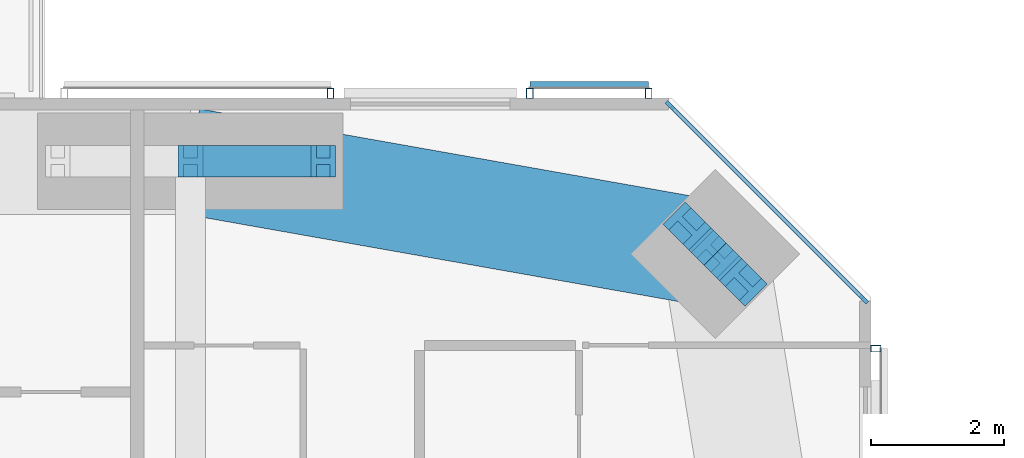
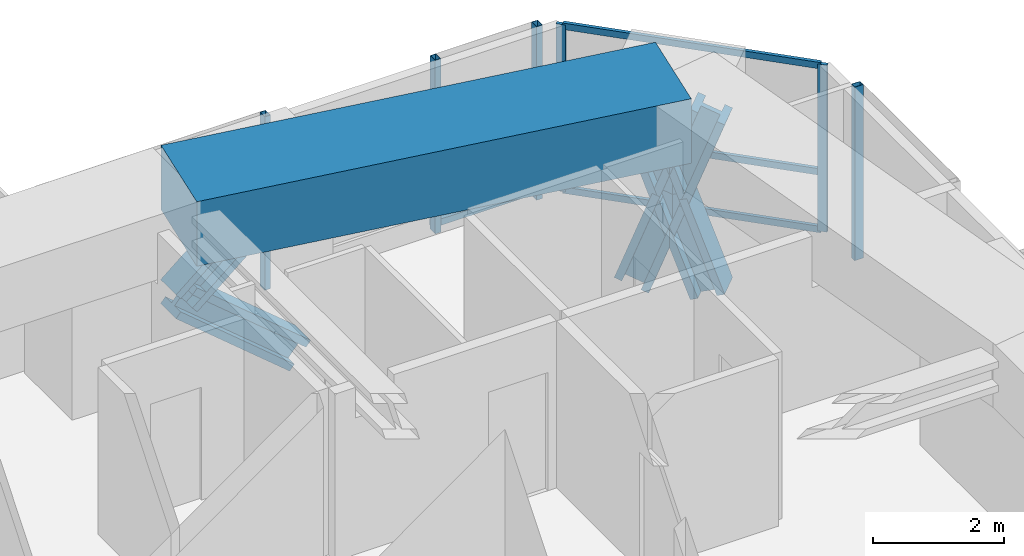
# One storey, part 13 of 22: 16 members, 1 beam, 4 elements without a shape of their own.
"""IFC4 building model written with IfcOpenShell, lengths in metres."""

from ifc_helpers import new_model, si_unit, direction, frame, origin, origin_2d, place, context, subcontext, project, spatial, rectangle, hollow_rectangle, i_section, extrude, material, material_profile, profile_set, type_object, element, aggregate, save


model = new_model("IFC4")

# Units and contexts
model_context = context("Model", 3, precision=1e-05, world=origin(), true_north=direction((0.0, 1.0)))
body_context = subcontext(model_context, "Body", "Model", "MODEL_VIEW")
ifc_project = project(units=[si_unit("LENGTHUNIT", "METRE"), si_unit("AREAUNIT", "SQUARE_METRE"), si_unit("VOLUMEUNIT", "CUBIC_METRE"), si_unit("PLANEANGLEUNIT", "RADIAN"), si_unit("MASSUNIT", "GRAM", prefix="KILO")], contexts=[model_context])

# Site, building, storey
site_placement = place(None, origin())
site = spatial("IfcSite", under=ifc_project, at=site_placement, CompositionType="ELEMENT")
building_placement = place(site_placement, origin())
building = spatial("IfcBuilding", under=site, at=building_placement, Name="Jalousie Tower", CompositionType="ELEMENT")
storey_placement = place(building_placement, frame((0.0, 0.0, 161.050048828125)))
storey = spatial("IfcBuildingStorey", under=building, at=storey_placement, Name="L43", CompositionType="ELEMENT", Elevation=161.050048828125)

# Curtain wall, members
ifc_material_1 = material(Name="Aluminium curtain wall", Category="aluminium")
curtain_wall_type_1 = type_object("IfcCurtainWallType", Name="CORNER WINDOW WALL", PredefinedType="USERDEFINED", material=ifc_material_1)
curtain_wall_1_placement = place(storey_placement, origin())
curtain_wall_1 = element("IfcCurtainWall", 1, at=curtain_wall_1_placement, inside=storey, type_object=curtain_wall_type_1, Name="Corner Window Wall L43 4", ObjectType="CORNER WINDOW WALL", PredefinedType="USERDEFINED")
ifc_material_2 = material(Name="Aluminium mullion", Category="aluminium")
ifc_material_profile_1 = material_profile(ifc_material_2, rectangle(XDim=0.06005859375, YDim=0.14990234375, at=origin_2d()), Name="MULLION 60x150")
ifc_profile_set_1 = profile_set([ifc_material_profile_1], Name="Aluminium mullion")
member_type_1 = type_object("IfcMemberType", Name="CORNER WINDOW WALL MULLION", PredefinedType="MULLION", material=ifc_profile_set_1)
member_1_placement = place(storey_placement, frame((52.891357421875, 32.969970703125, 0.0), z_axis=(0.0, 0.0, 1.0), x_axis=(-0.707106781187, -0.707106781187, 0.0)))
member_1 = element("IfcMember", 2, at=member_1_placement, type_object=member_type_1, Name="CW-C mullion 1", PredefinedType="MULLION", context=body_context, shape_type="SweptSolid", body=[
    extrude(rectangle(XDim=0.06005859375, YDim=0.14990234375, at=origin_2d()), origin(), (0.0, 0.0, 1.0), 3.10986328125),
])
member_2_placement = place(storey_placement, frame((49.969970703125, 35.891357421875, 0.0), z_axis=(0.0, 0.0, 1.0), x_axis=(-0.707106781187, -0.707106781187, 0.0)))
member_2 = element("IfcMember", 3, at=member_2_placement, type_object=member_type_1, Name="CW-C mullion 2", PredefinedType="MULLION", context=body_context, shape_type="SweptSolid", body=[
    extrude(rectangle(XDim=0.06005859375, YDim=0.14990234375, at=origin_2d()), origin(), (0.0, 0.0, 1.0), 3.10986328125),
])
ifc_material_3 = material(Name="Aluminium transom", Category="aluminium")
ifc_material_profile_2 = material_profile(ifc_material_3, rectangle(XDim=0.06005859375, YDim=0.1201171875, at=origin_2d()), Name="TRANSOM 60x120")
ifc_profile_set_2 = profile_set([ifc_material_profile_2], Name="Aluminium transom")
member_type_2 = type_object("IfcMemberType", Name="CORNER WINDOW WALL TRANSOM", PredefinedType="USERDEFINED", material=ifc_profile_set_2)
member_3_placement = place(storey_placement, frame((52.8701171875, 32.9912109375, 0.030029296875), z_axis=(-0.707106781187, 0.707106781187, 0.0), x_axis=(-0.707106781187, -0.707106781187, 0.0)))
member_3 = element("IfcMember", 4, at=member_3_placement, type_object=member_type_2, Name="CW-C transom 1.1", ObjectType="TRANSOM", PredefinedType="USERDEFINED", context=body_context, shape_type="SweptSolid", body=[
    extrude(rectangle(XDim=0.06005859375, YDim=0.1201171875, at=origin_2d()), origin(), (0.0, 0.0, 1.0), 4.0712890625),
])
member_4_placement = place(storey_placement, frame((52.8701171875, 32.9912109375, 1.099853515625), z_axis=(-0.707106781187, 0.707106781187, 0.0), x_axis=(-0.707106781187, -0.707106781187, 0.0)))
member_4 = element("IfcMember", 5, at=member_4_placement, type_object=member_type_2, Name="CW-C transom 1.2", ObjectType="TRANSOM", PredefinedType="USERDEFINED", context=body_context, shape_type="SweptSolid", body=[
    extrude(rectangle(XDim=0.06005859375, YDim=0.1201171875, at=origin_2d()), origin(), (0.0, 0.0, 1.0), 4.0712890625),
])
member_5_placement = place(storey_placement, frame((52.8701171875, 32.9912109375, 3.079833984375), z_axis=(-0.707106781187, 0.707106781187, 0.0), x_axis=(-0.707106781187, -0.707106781187, 0.0)))
member_5 = element("IfcMember", 6, at=member_5_placement, type_object=member_type_2, Name="CW-C transom 1.3", ObjectType="TRANSOM", PredefinedType="USERDEFINED", context=body_context, shape_type="SweptSolid", body=[
    extrude(rectangle(XDim=0.06005859375, YDim=0.1201171875, at=origin_2d()), origin(), (0.0, 0.0, 1.0), 4.0712890625),
])
aggregate(curtain_wall_1, [member_1, member_2, member_3, member_4, member_5])

# Members
ifc_material_4 = material(Name="Steel ASTM A992 Grade 50", Category="steel")
ifc_material_profile_3 = material_profile(ifc_material_4, i_section(OverallWidth=0.472412109375, OverallDepth=0.5791015625, WebThickness=0.094970703125, FlangeThickness=0.1298828125, at=origin_2d()), Name="W14X808")
ifc_profile_set_3 = profile_set([ifc_material_profile_3], Name="Steel ASTM A992 Grade 50")
member_type_3 = type_object("IfcMemberType", Name="PERIMETER BRACE W14X808", PredefinedType="BRACE", material=ifc_profile_set_3)
for number, where, z_axis, x_axis, name in (
    (7, (51.07568359375, 33.227294921875, -0.60009765625), (-0.238345540878, 0.238482757655, 0.941444303953), (-0.707310235866, -0.706903267951, 0.0), "Perimeter brace 08 L43 part 1"),
    (8, (50.651611328125, 33.651611328125, 1.074951171875), (-0.238482757655, 0.238345540878, 0.941444303953), (-0.706903267951, -0.707310235866, 0.0), "Perimeter brace 08 L43 part 2"),
    (9, (50.227294921875, 34.07568359375, -0.60009765625), (0.238482757655, -0.238345540878, 0.941444303953), (0.706903267951, 0.707310235866, 0.0), "Perimeter brace 08 L43 part 3"),
    (10, (50.651611328125, 33.651611328125, 1.074951171875), (0.238345540878, -0.238482757655, 0.941444303953), (0.707310235866, 0.706903267951, 0.0), "Perimeter brace 08 L43 part 4"),
):
    element("IfcMember", number, at=place(storey_placement, frame(where, z_axis=z_axis, x_axis=x_axis)), inside=storey, type_object=member_type_3, Name=name, PredefinedType="BRACE", context=body_context, shape_type="SweptSolid", body=[
        extrude(i_section(OverallWidth=0.472412109375, OverallDepth=0.5791015625, WebThickness=0.094970703125, FlangeThickness=0.1298828125, at=origin_2d()), origin(), (0.0, 0.0, 1.0), 1.779296875),
    ])
for number, where, z_axis, x_axis, name in (
    (11, (42.75, 35.050048828125, 1.074951171875), (0.766638753323, 0.0, 0.642078672674), (0.0, 1.0, 0.0), "Perimeter brace 09 L43 part 2"),
    (12, (44.75, 35.050048828125, -0.60009765625), (-0.766638753323, 0.0, 0.642078672674), (0.0, -1.0, 0.0), "Perimeter brace 09 L43 part 3"),
):
    element("IfcMember", number, at=place(storey_placement, frame(where, z_axis=z_axis, x_axis=x_axis)), inside=storey, type_object=member_type_3, Name=name, PredefinedType="BRACE", context=body_context, shape_type="SweptSolid", body=[
        extrude(i_section(OverallWidth=0.472412109375, OverallDepth=0.5791015625, WebThickness=0.094970703125, FlangeThickness=0.1298828125, at=origin_2d()), origin(), (0.0, 0.0, 1.0), 2.60888671875),
    ])

# Beam
ifc_material_5 = material(Name="Concrete f'c 40 MPa", Category="concrete")
ifc_material_profile_4 = material_profile(ifc_material_5, rectangle(XDim=1.60009765625, YDim=1.199951171875, at=origin_2d()), Name="RC 1600x1200")
ifc_profile_set_4 = profile_set([ifc_material_profile_4], Name="Concrete f'c 40 MPa")
beam_type = type_object("IfcBeamType", Name="RC BEAM 1600x1200", PredefinedType="BEAM", material=ifc_profile_set_4)
beam_placement = place(storey_placement, frame((50.651611328125, 33.651611328125, 2.75), z_axis=(-0.984697370688, 0.174273027632, 0.0), x_axis=(-0.174273027632, -0.984697370688, 0.0)))
element("IfcBeam", 13, at=beam_placement, inside=storey, type_object=beam_type, Name="Edge band beam 08-09 under L44", PredefinedType="BEAM", context=body_context, shape_type="SweptSolid", body=[
    extrude(rectangle(XDim=1.60009765625, YDim=1.199951171875, at=origin_2d()), origin(), (0.0, 0.0, 1.0), 8.0244140625),
])

# Curtain wall, member
ifc_material_6 = material(Name="Perforated aluminium sheet", Category="aluminium")
curtain_wall_type_2 = type_object("IfcCurtainWallType", Name="SOLAR SCREEN SS-1", PredefinedType="USERDEFINED", material=ifc_material_6)
curtain_wall_2_placement = place(storey_placement, origin())
curtain_wall_2 = element("IfcCurtainWall", 14, at=curtain_wall_2_placement, inside=storey, type_object=curtain_wall_type_2, Name="Solar screen L43", ObjectType="SOLAR SCREEN SS-1", PredefinedType="USERDEFINED")
ifc_material_7 = material(Name="Steel ASTM A500 Grade C", Category="steel")
ifc_material_profile_5 = material_profile(ifc_material_7, hollow_rectangle(XDim=0.1015625, YDim=0.15234375, WallThickness=0.00634765625, at=origin_2d()), Name="HSS6X4X1/4")
ifc_profile_set_5 = profile_set([ifc_material_profile_5], Name="Steel ASTM A500 Grade C")
member_type_4 = type_object("IfcMemberType", Name="SOLAR SCREEN SS-1 MULLION", PredefinedType="MULLION", material=ifc_profile_set_5)
member_6_placement = place(storey_placement, frame((53.0712890625, 32.228759765625, -0.1201171875), z_axis=(0.0, 0.0, 1.0), x_axis=(0.0, 1.0, 0.0)))
member_6 = element("IfcMember", 15, at=member_6_placement, type_object=member_type_4, Name="SS1 post 2", PredefinedType="MULLION", context=body_context, shape_type="SweptSolid", body=[
    extrude(hollow_rectangle(XDim=0.1015625, YDim=0.15234375, WallThickness=0.00634765625, at=origin_2d()), origin(), (0.0, 0.0, 1.0), 3.22998046875),
])
aggregate(curtain_wall_2, [member_6])

# Curtain wall, members
curtain_wall_3_placement = place(storey_placement, origin())
curtain_wall_3 = element("IfcCurtainWall", 16, at=curtain_wall_3_placement, inside=storey, type_object=curtain_wall_type_2, Name="Solar screen L43", ObjectType="SOLAR SCREEN SS-1", PredefinedType="USERDEFINED")
member_7_placement = place(storey_placement, frame((49.648681640625, 36.0712890625, -0.1201171875), z_axis=(0.0, 0.0, 1.0), x_axis=(-1.0, 0.0, 0.0)))
member_7 = element("IfcMember", 17, at=member_7_placement, type_object=member_type_4, Name="SS1 post 1", PredefinedType="MULLION", context=body_context, shape_type="SweptSolid", body=[
    extrude(hollow_rectangle(XDim=0.1015625, YDim=0.15234375, WallThickness=0.00634765625, at=origin_2d()), origin(), (0.0, 0.0, 1.0), 3.22998046875),
])
member_8_placement = place(storey_placement, frame((47.859130859375, 36.0712890625, -0.1201171875), z_axis=(0.0, 0.0, 1.0), x_axis=(-1.0, 0.0, 0.0)))
member_8 = element("IfcMember", 18, at=member_8_placement, type_object=member_type_4, Name="SS1 post 2", PredefinedType="MULLION", context=body_context, shape_type="SweptSolid", body=[
    extrude(hollow_rectangle(XDim=0.1015625, YDim=0.15234375, WallThickness=0.00634765625, at=origin_2d()), origin(), (0.0, 0.0, 1.0), 3.22998046875),
])

# Curtain wall, member
curtain_wall_4_placement = place(storey_placement, origin())
curtain_wall_4 = element("IfcCurtainWall", 19, at=curtain_wall_4_placement, inside=storey, type_object=curtain_wall_type_2, Name="Solar screen L43", ObjectType="SOLAR SCREEN SS-1", PredefinedType="USERDEFINED")
member_9_placement = place(storey_placement, frame((44.859130859375, 36.0712890625, -0.1201171875), z_axis=(0.0, 0.0, 1.0), x_axis=(-1.0, 0.0, 0.0)))
member_9 = element("IfcMember", 20, at=member_9_placement, type_object=member_type_4, Name="SS1 post 1", PredefinedType="MULLION", context=body_context, shape_type="SweptSolid", body=[
    extrude(hollow_rectangle(XDim=0.1015625, YDim=0.15234375, WallThickness=0.00634765625, at=origin_2d()), origin(), (0.0, 0.0, 1.0), 3.22998046875),
])
aggregate(curtain_wall_4, [member_9])

# Member
ifc_material_8 = material(Name="Extruded aluminium screen rail", Category="aluminium")
ifc_material_profile_6 = material_profile(ifc_material_8, rectangle(XDim=0.1015625, YDim=0.1201171875, at=origin_2d()), Name="RAIL 102x120")
ifc_profile_set_6 = profile_set([ifc_material_profile_6], Name="Extruded aluminium screen rail")
member_type_5 = type_object("IfcMemberType", Name="SOLAR SCREEN SS-1 TRANSOM", PredefinedType="USERDEFINED", material=ifc_profile_set_6)
member_10_placement = place(storey_placement, frame((49.648681640625, 36.1982421875, -0.06005859375), z_axis=(-1.0, 0.0, 0.0), x_axis=(0.0, -1.0, 0.0)))
member_10 = element("IfcMember", 21, at=member_10_placement, type_object=member_type_5, Name="SS1 rail", ObjectType="TRANSOM", PredefinedType="USERDEFINED", context=body_context, shape_type="SweptSolid", body=[
    extrude(rectangle(XDim=0.1015625, YDim=0.1201171875, at=origin_2d()), origin(), (0.0, 0.0, 1.0), 1.78955078125),
])

aggregate(curtain_wall_3, [member_7, member_8, member_10])

save(model, "model.ifc")
